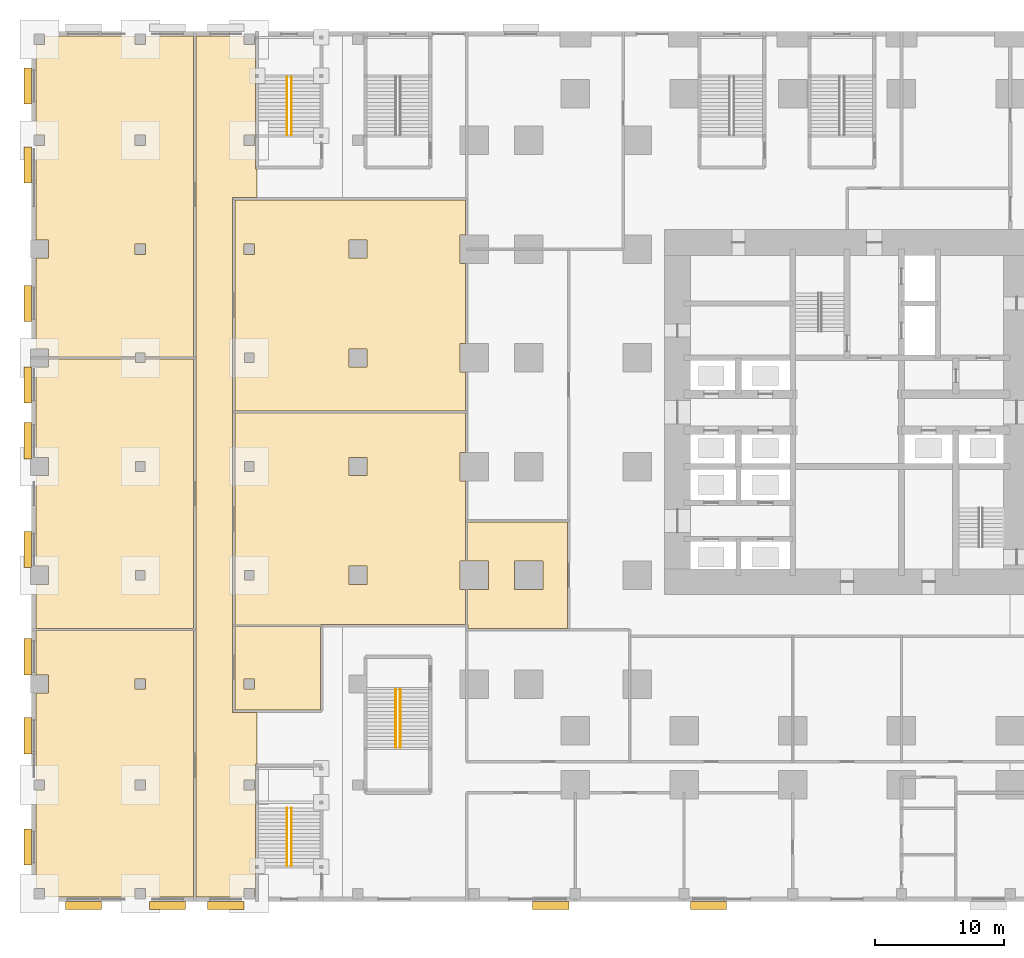
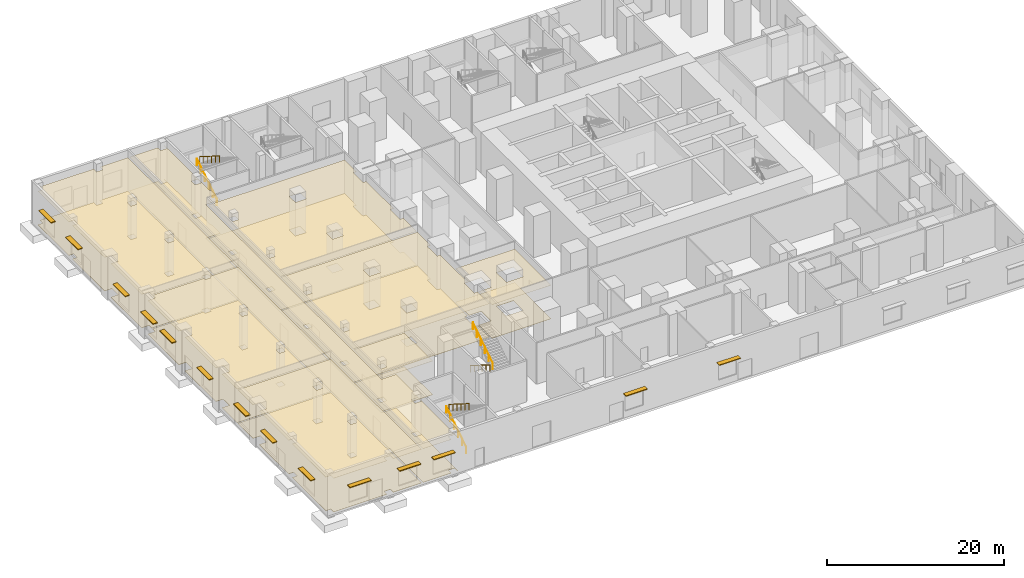
# One storey, part 24 of 26: 16 coverings, 14 shading devices, 6 railings.
"""IFC4 building model written with IfcOpenShell, lengths in metres."""

from ifc_helpers import new_model, si_unit, direction, frame, origin, origin_2d, place, context, subcontext, project, spatial, polyline, rectangle, circle, outline, extrude, material, layer, layer_set, type_object, element, save


model = new_model("IFC4")

# Units and contexts
model_context = context("Model", 3, precision=1e-05, world=origin(), true_north=direction((0.0, 1.0)))
body_context = subcontext(model_context, "Body", "Model", "MODEL_VIEW")
ifc_project = project(units=[si_unit("LENGTHUNIT", "METRE"), si_unit("AREAUNIT", "SQUARE_METRE"), si_unit("VOLUMEUNIT", "CUBIC_METRE"), si_unit("PLANEANGLEUNIT", "RADIAN"), si_unit("MASSUNIT", "GRAM", prefix="KILO")], contexts=[model_context])

# Site, building, storey
site_placement = place(None, origin())
site = spatial("IfcSite", under=ifc_project, at=site_placement, CompositionType="ELEMENT")
building_placement = place(site_placement, origin())
building = spatial("IfcBuilding", under=site, at=building_placement, Name="Dunama Terrace Hotel", CompositionType="ELEMENT")
storey_placement = place(building_placement, origin())
storey = spatial("IfcBuildingStorey", under=building, at=storey_placement, Name="L00", CompositionType="ELEMENT", Elevation=0.0)

# Railings
ifc_material_1 = material(Name="Stainless steel handrail", Category="steel")
railing_type = type_object("IfcRailingType", Name="Stair handrail 900", PredefinedType="HANDRAIL", material=ifc_material_1)
railing_1_placement = place(storey_placement, frame((-13.875, 50.824951171875, 0.176513671875)))
element("IfcRailing", 1, at=railing_1_placement, inside=storey, type_object=railing_type, Name="Handrail P1 L00", PredefinedType="HANDRAIL", context=body_context, shape_type="SweptSolid", body=[
    extrude(circle(Radius=0.02392578125, at=origin_2d()), frame((0.0, 0.0, 0.8759765625), z_axis=(0.0, 0.845997938375, 0.533186166611), x_axis=(-1.0, 0.0, 0.0)), (0.0, 0.0, 1.0), 5.29541015625),
    extrude(circle(Radius=0.02099609375, at=origin_2d()), origin(), (0.0, 0.0, 1.0), 0.851806640625),
    extrude(circle(Radius=0.02099609375, at=origin_2d()), frame((0.0, 0.89599609375, 0.564697265625)), (0.0, 0.0, 1.0), 0.851806640625),
    extrude(circle(Radius=0.02099609375, at=origin_2d()), frame((0.0, 1.7919921875, 1.12939453125)), (0.0, 0.0, 1.0), 0.851806640625),
    extrude(circle(Radius=0.02099609375, at=origin_2d()), frame((0.0, 2.68798828125, 1.694091796875)), (0.0, 0.0, 1.0), 0.851806640625),
    extrude(circle(Radius=0.02099609375, at=origin_2d()), frame((0.0, 3.583984375, 2.2587890625)), (0.0, 0.0, 1.0), 0.851806640625),
    extrude(circle(Radius=0.02099609375, at=origin_2d()), frame((0.0, 4.47998046875, 2.823486328125)), (0.0, 0.0, 1.0), 0.851806640625),
])
railing_2_placement = place(storey_placement, frame((-13.52490234375, 55.304931640625, 3.176513671875)))
element("IfcRailing", 2, at=railing_2_placement, inside=storey, type_object=railing_type, Name="Handrail P1 L00", PredefinedType="HANDRAIL", context=body_context, shape_type="SweptSolid", body=[
    extrude(circle(Radius=0.02392578125, at=origin_2d()), frame((0.0, 0.0, 0.8759765625), z_axis=(0.0, -0.845997938375, 0.533186166611), x_axis=(1.0, 0.0, 0.0)), (0.0, 0.0, 1.0), 5.29541015625),
    extrude(circle(Radius=0.02099609375, at=origin_2d()), origin(), (0.0, 0.0, 1.0), 0.851806640625),
    extrude(circle(Radius=0.02099609375, at=origin_2d()), frame((0.0, -0.89599609375, 0.564697265625)), (0.0, 0.0, 1.0), 0.851806640625),
    extrude(circle(Radius=0.02099609375, at=origin_2d()), frame((0.0, -1.7919921875, 1.12939453125)), (0.0, 0.0, 1.0), 0.851806640625),
    extrude(circle(Radius=0.02099609375, at=origin_2d()), frame((0.0, -2.68798828125, 1.694091796875)), (0.0, 0.0, 1.0), 0.851806640625),
    extrude(circle(Radius=0.02099609375, at=origin_2d()), frame((0.0, -3.583984375, 2.2587890625)), (0.0, 0.0, 1.0), 0.851806640625),
    extrude(circle(Radius=0.02099609375, at=origin_2d()), frame((0.0, -4.47998046875, 2.823486328125)), (0.0, 0.0, 1.0), 0.851806640625),
])
railing_3_placement = place(storey_placement, frame((-13.875, -5.64990234375, 0.176513671875)))
element("IfcRailing", 3, at=railing_3_placement, inside=storey, type_object=railing_type, Name="Handrail P2 L00", PredefinedType="HANDRAIL", context=body_context, shape_type="SweptSolid", body=[
    extrude(circle(Radius=0.02392578125, at=origin_2d()), frame((0.0, 0.0, 0.8759765625), z_axis=(0.0, 0.845997938375, 0.533186166611), x_axis=(-1.0, 0.0, 0.0)), (0.0, 0.0, 1.0), 5.29541015625),
    extrude(circle(Radius=0.02099609375, at=origin_2d()), origin(), (0.0, 0.0, 1.0), 0.851806640625),
    extrude(circle(Radius=0.02099609375, at=origin_2d()), frame((0.0, 0.89599609375, 0.564697265625)), (0.0, 0.0, 1.0), 0.851806640625),
    extrude(circle(Radius=0.02099609375, at=origin_2d()), frame((0.0, 1.7919921875, 1.12939453125)), (0.0, 0.0, 1.0), 0.851806640625),
    extrude(circle(Radius=0.02099609375, at=origin_2d()), frame((0.0, 2.68798828125, 1.694091796875)), (0.0, 0.0, 1.0), 0.851806640625),
    extrude(circle(Radius=0.02099609375, at=origin_2d()), frame((0.0, 3.583984375, 2.2587890625)), (0.0, 0.0, 1.0), 0.851806640625),
    extrude(circle(Radius=0.02099609375, at=origin_2d()), frame((0.0, 4.47998046875, 2.823486328125)), (0.0, 0.0, 1.0), 0.851806640625),
])
for number, where, name in (
    (4, (-13.52490234375, -1.169921875, 3.176513671875), "Handrail P2 L00"),
    (5, (-5.47509765625, 7.97509765625, 0.176513671875), "Handrail P4 L00"),
):
    element("IfcRailing", number, at=place(storey_placement, frame(where)), inside=storey, type_object=railing_type, Name=name, PredefinedType="HANDRAIL", context=body_context, shape_type="SweptSolid", body=[
        extrude(circle(Radius=0.02392578125, at=origin_2d()), frame((0.0, 0.0, 0.8759765625), z_axis=(0.0, -0.845997938375, 0.533186166611), x_axis=(1.0, 0.0, 0.0)), (0.0, 0.0, 1.0), 5.29541015625),
        extrude(circle(Radius=0.02099609375, at=origin_2d()), origin(), (0.0, 0.0, 1.0), 0.851806640625),
        extrude(circle(Radius=0.02099609375, at=origin_2d()), frame((0.0, -0.89599609375, 0.564697265625)), (0.0, 0.0, 1.0), 0.851806640625),
        extrude(circle(Radius=0.02099609375, at=origin_2d()), frame((0.0, -1.7919921875, 1.12939453125)), (0.0, 0.0, 1.0), 0.851806640625),
        extrude(circle(Radius=0.02099609375, at=origin_2d()), frame((0.0, -2.68798828125, 1.694091796875)), (0.0, 0.0, 1.0), 0.851806640625),
        extrude(circle(Radius=0.02099609375, at=origin_2d()), frame((0.0, -3.583984375, 2.2587890625)), (0.0, 0.0, 1.0), 0.851806640625),
        extrude(circle(Radius=0.02099609375, at=origin_2d()), frame((0.0, -4.47998046875, 2.823486328125)), (0.0, 0.0, 1.0), 0.851806640625),
    ])
railing_4_placement = place(storey_placement, frame((-5.125, 3.4951171875, 3.176513671875)))
element("IfcRailing", 6, at=railing_4_placement, inside=storey, type_object=railing_type, Name="Handrail P4 L00", PredefinedType="HANDRAIL", context=body_context, shape_type="SweptSolid", body=[
    extrude(circle(Radius=0.02392578125, at=origin_2d()), frame((0.0, 0.0, 0.8759765625), z_axis=(0.0, 0.845997938375, 0.533186166611), x_axis=(-1.0, 0.0, 0.0)), (0.0, 0.0, 1.0), 5.29541015625),
    extrude(circle(Radius=0.02099609375, at=origin_2d()), origin(), (0.0, 0.0, 1.0), 0.851806640625),
    extrude(circle(Radius=0.02099609375, at=origin_2d()), frame((0.0, 0.89599609375, 0.564697265625)), (0.0, 0.0, 1.0), 0.851806640625),
    extrude(circle(Radius=0.02099609375, at=origin_2d()), frame((0.0, 1.7919921875, 1.12939453125)), (0.0, 0.0, 1.0), 0.851806640625),
    extrude(circle(Radius=0.02099609375, at=origin_2d()), frame((0.0, 2.68798828125, 1.694091796875)), (0.0, 0.0, 1.0), 0.851806640625),
    extrude(circle(Radius=0.02099609375, at=origin_2d()), frame((0.0, 3.583984375, 2.2587890625)), (0.0, 0.0, 1.0), 0.851806640625),
    extrude(circle(Radius=0.02099609375, at=origin_2d()), frame((0.0, 4.47998046875, 2.823486328125)), (0.0, 0.0, 1.0), 0.851806640625),
])

# Coverings
ifc_material_2 = material(Name="Natural stone floor tiles", Category="masonry")
ifc_layer_1 = layer(ifc_material_2, 0.030029296875)
ifc_layer_set_1 = layer_set([ifc_layer_1], Name="Stone floor finish 30")
covering_type_1 = type_object("IfcCoveringType", Name="Stone floor finish 30", PredefinedType="FLOORING", material=ifc_layer_set_1)
covering_1_placement = place(storey_placement, origin())
element("IfcCovering", 7, at=covering_1_placement, inside=storey, type_object=covering_type_1, Name="Floor finish L00-21", PredefinedType="FLOORING", context=body_context, shape_type="SweptSolid", body=[
    extrude(outline(polyline([(-21.10009765625, 12.52490234375), (-33.25, 12.52490234375), (-33.25, 9.10009765625), (-32.300048828125, 9.10009765625), (-32.300048828125, 7.699951171875), (-33.25, 7.699951171875), (-33.25, 1.0), (-32.60009765625, 1.0), (-32.60009765625, 0.199951171875), (-33.25, 0.199951171875), (-33.25, -7.39990234375), (-32.60009765625, -7.39990234375), (-32.60009765625, -8.050048828125), (-25.60009765625, -8.050048828125), (-25.60009765625, -7.39990234375), (-24.800048828125, -7.39990234375), (-24.800048828125, -8.050048828125), (-21.10009765625, -8.050048828125), (-21.10009765625, 12.52490234375)]), holes=[polyline([(-24.800048828125, 1.0), (-24.800048828125, 0.199951171875), (-25.60009765625, 0.199951171875), (-25.60009765625, 1.0), (-24.800048828125, 1.0)]), polyline([(-24.800048828125, 8.800048828125), (-24.800048828125, 8.0), (-25.60009765625, 8.0), (-25.60009765625, 8.800048828125), (-24.800048828125, 8.800048828125)])]), origin(), (0.0, 0.0, 1.0), 0.030029296875),
])
covering_2_placement = place(storey_placement, origin())
element("IfcCovering", 8, at=covering_2_placement, inside=storey, type_object=covering_type_1, Name="Floor finish L00-22", PredefinedType="FLOORING", context=body_context, shape_type="SweptSolid", body=[
    extrude(outline(polyline([(-32.300048828125, 25.89990234375), (-32.300048828125, 24.5), (-33.25, 24.5), (-33.25, 17.5), (-32.300048828125, 17.5), (-32.300048828125, 16.10009765625), (-33.25, 16.10009765625), (-33.25, 12.675048828125), (-21.10009765625, 12.675048828125), (-21.10009765625, 33.52490234375), (-24.824951171875, 33.52490234375), (-24.824951171875, 33.22509765625), (-25.574951171875, 33.22509765625), (-25.574951171875, 33.52490234375), (-32.300048828125, 33.52490234375), (-32.300048828125, 32.89990234375), (-33.25, 32.89990234375), (-33.25, 25.89990234375), (-32.300048828125, 25.89990234375)]), holes=[polyline([(-24.824951171875, 17.175048828125), (-24.824951171875, 16.425048828125), (-25.574951171875, 16.425048828125), (-25.574951171875, 17.175048828125), (-24.824951171875, 17.175048828125)]), polyline([(-24.824951171875, 25.574951171875), (-24.824951171875, 24.824951171875), (-25.574951171875, 24.824951171875), (-25.574951171875, 25.574951171875), (-24.824951171875, 25.574951171875)])]), origin(), (0.0, 0.0, 1.0), 0.030029296875),
])
covering_3_placement = place(storey_placement, origin())
element("IfcCovering", 9, at=covering_3_placement, inside=storey, type_object=covering_type_1, Name="Floor finish L00-23", PredefinedType="FLOORING", context=body_context, shape_type="SweptSolid", body=[
    extrude(outline(polyline([(-32.60009765625, 58.449951171875), (-32.60009765625, 57.800048828125), (-33.25, 57.800048828125), (-33.25, 50.800048828125), (-32.60009765625, 50.800048828125), (-32.60009765625, 50.0), (-33.25, 50.0), (-33.25, 42.699951171875), (-32.300048828125, 42.699951171875), (-32.300048828125, 41.300048828125), (-33.25, 41.300048828125), (-33.25, 34.300048828125), (-32.300048828125, 34.300048828125), (-32.300048828125, 33.675048828125), (-25.574951171875, 33.675048828125), (-25.574951171875, 33.97509765625), (-24.824951171875, 33.97509765625), (-24.824951171875, 33.675048828125), (-21.10009765625, 33.675048828125), (-21.10009765625, 58.449951171875), (-24.800048828125, 58.449951171875), (-24.800048828125, 57.800048828125), (-25.60009765625, 57.800048828125), (-25.60009765625, 58.449951171875), (-32.60009765625, 58.449951171875)]), holes=[polyline([(-24.800048828125, 42.39990234375), (-24.800048828125, 41.60009765625), (-25.60009765625, 41.60009765625), (-25.60009765625, 42.39990234375), (-24.800048828125, 42.39990234375)]), polyline([(-24.800048828125, 50.800048828125), (-24.800048828125, 50.0), (-25.60009765625, 50.0), (-25.60009765625, 50.800048828125), (-24.800048828125, 50.800048828125)])]), origin(), (0.0, 0.0, 1.0), 0.030029296875),
])
covering_4_placement = place(storey_placement, origin())
element("IfcCovering", 10, at=covering_4_placement, inside=storey, type_object=covering_type_1, Name="Floor finish L00-24", PredefinedType="FLOORING", context=body_context, shape_type="SweptSolid", body=[
    extrude(outline(polyline([(-16.199951171875, 46.0), (-16.199951171875, 48.175048828125), (-16.324951171875, 48.175048828125), (-16.324951171875, 48.425048828125), (-16.324951171875, 58.449951171875), (-16.39990234375, 58.449951171875), (-16.39990234375, 57.800048828125), (-17.199951171875, 57.800048828125), (-17.199951171875, 58.449951171875), (-20.89990234375, 58.449951171875), (-20.89990234375, -8.050048828125), (-17.199951171875, -8.050048828125), (-17.199951171875, -7.39990234375), (-16.39990234375, -7.39990234375), (-16.39990234375, -8.050048828125), (-16.324951171875, -8.050048828125), (-16.324951171875, 1.97509765625), (-16.324951171875, 2.10009765625), (-16.324951171875, 2.22509765625), (-16.199951171875, 2.22509765625), (-16.199951171875, 6.199951171875), (-17.89990234375, 6.199951171875), (-18.0, 6.199951171875), (-18.10009765625, 6.199951171875), (-18.10009765625, 6.39990234375), (-18.10009765625, 45.800048828125), (-18.10009765625, 45.89990234375), (-18.10009765625, 46.0), (-17.89990234375, 46.0), (-16.199951171875, 46.0)]), holes=[polyline([(-16.39990234375, 1.0), (-16.39990234375, 0.199951171875), (-17.199951171875, 0.199951171875), (-17.199951171875, 1.0), (-16.39990234375, 1.0)]), polyline([(-16.39990234375, 50.800048828125), (-16.39990234375, 50.0), (-17.199951171875, 50.0), (-17.199951171875, 50.800048828125), (-16.39990234375, 50.800048828125)])]), origin(), (0.0, 0.0, 1.0), 0.030029296875),
])
covering_5_placement = place(storey_placement, origin())
element("IfcCovering", 11, at=covering_5_placement, inside=storey, type_object=covering_type_1, Name="Floor finish L00-40", PredefinedType="FLOORING", context=body_context, shape_type="SweptSolid", body=[
    extrude(outline(polyline([(-17.89990234375, 12.97509765625), (-11.300048828125, 12.97509765625), (-11.300048828125, 13.0), (-11.10009765625, 13.0), (-0.10009765625, 13.0), (-0.074951171875, 13.0), (-0.074951171875, 15.699951171875), (-0.5, 15.699951171875), (-0.5, 17.89990234375), (-0.074951171875, 17.89990234375), (-0.074951171875, 20.925048828125), (-0.074951171875, 21.074951171875), (-0.074951171875, 24.10009765625), (-0.5, 24.10009765625), (-0.5, 26.300048828125), (-0.074951171875, 26.300048828125), (-0.074951171875, 29.324951171875), (-17.89990234375, 29.324951171875), (-17.89990234375, 12.97509765625)]), holes=[polyline([(-16.425048828125, 17.175048828125), (-16.425048828125, 16.425048828125), (-17.175048828125, 16.425048828125), (-17.175048828125, 17.175048828125), (-16.425048828125, 17.175048828125)]), polyline([(-16.425048828125, 25.574951171875), (-16.425048828125, 24.824951171875), (-17.175048828125, 24.824951171875), (-17.175048828125, 25.574951171875), (-16.425048828125, 25.574951171875)]), polyline([(-7.699951171875, 17.5), (-7.699951171875, 16.10009765625), (-9.10009765625, 16.10009765625), (-9.10009765625, 17.5), (-7.699951171875, 17.5)]), polyline([(-7.699951171875, 25.89990234375), (-7.699951171875, 24.5), (-9.10009765625, 24.5), (-9.10009765625, 25.89990234375), (-7.699951171875, 25.89990234375)])]), origin(), (0.0, 0.0, 1.0), 0.030029296875),
])
covering_6_placement = place(storey_placement, origin())
element("IfcCovering", 12, at=covering_6_placement, inside=storey, type_object=covering_type_1, Name="Floor finish L00-41", PredefinedType="FLOORING", context=body_context, shape_type="SweptSolid", body=[
    extrude(outline(polyline([(-17.89990234375, 29.47509765625), (-0.074951171875, 29.47509765625), (-0.074951171875, 32.5), (-0.5, 32.5), (-0.5, 34.699951171875), (-0.074951171875, 34.699951171875), (-0.074951171875, 40.89990234375), (-0.5, 40.89990234375), (-0.5, 43.10009765625), (-0.074951171875, 43.10009765625), (-0.074951171875, 45.800048828125), (-0.10009765625, 45.800048828125), (-17.89990234375, 45.800048828125), (-17.89990234375, 29.47509765625)]), holes=[polyline([(-17.175048828125, 33.97509765625), (-16.425048828125, 33.97509765625), (-16.425048828125, 33.22509765625), (-17.175048828125, 33.22509765625), (-17.175048828125, 33.97509765625)]), polyline([(-16.39990234375, 42.39990234375), (-16.39990234375, 41.60009765625), (-17.199951171875, 41.60009765625), (-17.199951171875, 42.39990234375), (-16.39990234375, 42.39990234375)]), polyline([(-9.10009765625, 34.300048828125), (-7.699951171875, 34.300048828125), (-7.699951171875, 32.89990234375), (-9.10009765625, 32.89990234375), (-9.10009765625, 34.300048828125)]), polyline([(-7.699951171875, 42.699951171875), (-7.699951171875, 41.300048828125), (-9.10009765625, 41.300048828125), (-9.10009765625, 42.699951171875), (-7.699951171875, 42.699951171875)])]), origin(), (0.0, 0.0, 1.0), 0.030029296875),
])
covering_7_placement = place(storey_placement, origin())
element("IfcCovering", 13, at=covering_7_placement, inside=storey, type_object=covering_type_1, Name="Floor finish L00-43", PredefinedType="FLOORING", context=body_context, shape_type="SweptSolid", body=[
    extrude(outline(polyline([(1.699951171875, 17.89990234375), (1.699951171875, 15.699951171875), (0.074951171875, 15.699951171875), (0.074951171875, 13.0), (0.10009765625, 13.0), (0.10009765625, 12.800048828125), (0.10009765625, 12.675048828125), (7.800048828125, 12.675048828125), (7.800048828125, 12.699951171875), (7.800048828125, 20.89990234375), (7.800048828125, 20.925048828125), (0.074951171875, 20.925048828125), (0.074951171875, 17.89990234375), (1.699951171875, 17.89990234375)]), holes=[polyline([(5.89990234375, 17.89990234375), (5.89990234375, 15.699951171875), (3.699951171875, 15.699951171875), (3.699951171875, 17.89990234375), (5.89990234375, 17.89990234375)])]), origin(), (0.0, 0.0, 1.0), 0.030029296875),
])
covering_8_placement = place(storey_placement, origin())
element("IfcCovering", 14, at=covering_8_placement, inside=storey, type_object=covering_type_1, Name="Floor finish L00-49", PredefinedType="FLOORING", context=body_context, shape_type="SweptSolid", body=[
    extrude(outline(polyline([(-17.89990234375, 12.824951171875), (-17.89990234375, 6.39990234375), (-11.300048828125, 6.39990234375), (-11.300048828125, 12.800048828125), (-11.300048828125, 12.824951171875), (-17.89990234375, 12.824951171875)]), holes=[polyline([(-16.39990234375, 8.800048828125), (-16.39990234375, 8.0), (-17.199951171875, 8.0), (-17.199951171875, 8.800048828125), (-16.39990234375, 8.800048828125)])]), origin(), (0.0, 0.0, 1.0), 0.030029296875),
])

# Shading devices
ifc_material_3 = material(Name="Precast stone sunshade", Category="masonry")
ifc_layer_2 = layer(ifc_material_3, 0.10009765625)
ifc_layer_set_2 = layer_set([ifc_layer_2], Name="Stone sunshade 600")
shading_device_type = type_object("IfcShadingDeviceType", Name="Stone sunshade 600", PredefinedType="USERDEFINED", material=ifc_layer_set_2)
for number, where, z_axis, x_axis, name in (
    (15, (-29.60009765625, -8.699951171875, 3.349853515625), (0.0, 0.0, 1.0), (1.0, 0.0, 0.0), "Sunshade L00"),
    (16, (-23.10009765625, -8.699951171875, 3.349853515625), (0.0, 0.0, 1.0), (1.0, 0.0, 0.0), "Sunshade L00"),
    (17, (-18.60009765625, -8.699951171875, 3.349853515625), (0.0, 0.0, 1.0), (1.0, 0.0, 0.0), "Sunshade L00"),
    (18, (6.5, -8.699951171875, 3.349853515625), (0.0, 0.0, 1.0), (1.0, 0.0, 0.0), "Sunshade L00"),
    (19, (18.699951171875, -8.699951171875, 3.349853515625), (0.0, 0.0, 1.0), (1.0, 0.0, 0.0), "Sunshade L00"),
    (20, (-33.89990234375, -4.199951171875, 3.349853515625), (0.0, 0.0, 1.0), (0.0, -1.0, 0.0), "Sunshade L00"),
    (21, (-33.89990234375, 4.39990234375, 3.349853515625), (0.0, 0.0, 1.0), (0.0, -1.0, 0.0), "Sunshade L00"),
    (22, (-33.89990234375, 10.5, 3.349853515625), (0.0, 0.0, 1.0), (0.0, -1.0, 0.0), "Sunshade L00"),
    (23, (-33.89990234375, 18.800048828125, 3.349853515625), (0.0, 0.0, 1.0), (0.0, -1.0, 0.0), "Sunshade L00"),
    (24, (-33.89990234375, 27.199951171875, 3.349853515625), (0.0, 0.0, 1.0), (0.0, -1.0, 0.0), "Sunshade L00"),
    (25, (-33.89990234375, 31.5, 3.349853515625), (0.0, 0.0, 1.0), (0.0, -1.0, 0.0), "Sunshade L00"),
    (26, (-33.89990234375, 37.800048828125, 3.349853515625), (0.0, 0.0, 1.0), (0.0, -1.0, 0.0), "Sunshade L00"),
    (27, (-33.89990234375, 48.5, 3.349853515625), (0.0, 0.0, 1.0), (0.0, -1.0, 0.0), "Sunshade L00"),
    (28, (-33.89990234375, 54.60009765625, 3.349853515625), (0.0, 0.0, 1.0), (0.0, -1.0, 0.0), "Sunshade L00"),
):
    element("IfcShadingDevice", number, at=place(storey_placement, frame(where, z_axis=z_axis, x_axis=x_axis)), inside=storey, type_object=shading_device_type, Name=name, ObjectType="SUNSHADE", PredefinedType="USERDEFINED", context=body_context, shape_type="SweptSolid", body=[
        extrude(rectangle(XDim=2.800048828125, YDim=0.60009765625, at=origin_2d()), origin(), (0.0, 0.0, 1.0), 0.10009765625),
    ])

# Coverings
ifc_material_4 = material(Name="Gypsum plasterboard ceiling")
ifc_layer_3 = layer(ifc_material_4, 0.02001953125)
ifc_layer_set_3 = layer_set([ifc_layer_3], Name="Suspended ceiling 20")
covering_type_2 = type_object("IfcCoveringType", Name="Suspended ceiling 20", PredefinedType="CEILING", material=ifc_layer_set_3)
covering_9_placement = place(storey_placement, frame((0.0, 0.0, 4.64990234375)))
element("IfcCovering", 29, at=covering_9_placement, inside=storey, type_object=covering_type_2, Name="Ceiling L00-21", PredefinedType="CEILING", context=body_context, shape_type="SweptSolid", body=[
    extrude(outline(polyline([(-21.10009765625, -8.050048828125), (-21.10009765625, 12.52490234375), (-33.25, 12.52490234375), (-33.25, 9.10009765625), (-32.300048828125, 9.10009765625), (-32.300048828125, 7.699951171875), (-33.25, 7.699951171875), (-33.25, 1.0), (-32.60009765625, 1.0), (-32.60009765625, 0.199951171875), (-33.25, 0.199951171875), (-33.25, -7.39990234375), (-32.60009765625, -7.39990234375), (-32.60009765625, -8.050048828125), (-25.60009765625, -8.050048828125), (-25.60009765625, -7.39990234375), (-24.800048828125, -7.39990234375), (-24.800048828125, -8.050048828125), (-21.10009765625, -8.050048828125)]), holes=[polyline([(-25.60009765625, 1.0), (-24.800048828125, 1.0), (-24.800048828125, 0.199951171875), (-25.60009765625, 0.199951171875), (-25.60009765625, 1.0)]), polyline([(-25.60009765625, 8.800048828125), (-24.800048828125, 8.800048828125), (-24.800048828125, 8.0), (-25.60009765625, 8.0), (-25.60009765625, 8.800048828125)])]), origin(), (0.0, 0.0, 1.0), 0.02001953125),
])
covering_10_placement = place(storey_placement, frame((0.0, 0.0, 4.64990234375)))
element("IfcCovering", 30, at=covering_10_placement, inside=storey, type_object=covering_type_2, Name="Ceiling L00-22", PredefinedType="CEILING", context=body_context, shape_type="SweptSolid", body=[
    extrude(outline(polyline([(-33.25, 25.89990234375), (-32.300048828125, 25.89990234375), (-32.300048828125, 24.5), (-33.25, 24.5), (-33.25, 17.5), (-32.300048828125, 17.5), (-32.300048828125, 16.10009765625), (-33.25, 16.10009765625), (-33.25, 12.675048828125), (-21.10009765625, 12.675048828125), (-21.10009765625, 33.52490234375), (-24.824951171875, 33.52490234375), (-24.824951171875, 33.22509765625), (-25.574951171875, 33.22509765625), (-25.574951171875, 33.52490234375), (-32.300048828125, 33.52490234375), (-32.300048828125, 32.89990234375), (-33.25, 32.89990234375), (-33.25, 25.89990234375)]), holes=[polyline([(-25.574951171875, 17.175048828125), (-24.824951171875, 17.175048828125), (-24.824951171875, 16.425048828125), (-25.574951171875, 16.425048828125), (-25.574951171875, 17.175048828125)]), polyline([(-25.574951171875, 25.574951171875), (-24.824951171875, 25.574951171875), (-24.824951171875, 24.824951171875), (-25.574951171875, 24.824951171875), (-25.574951171875, 25.574951171875)])]), origin(), (0.0, 0.0, 1.0), 0.02001953125),
])
covering_11_placement = place(storey_placement, frame((0.0, 0.0, 4.64990234375)))
element("IfcCovering", 31, at=covering_11_placement, inside=storey, type_object=covering_type_2, Name="Ceiling L00-23", PredefinedType="CEILING", context=body_context, shape_type="SweptSolid", body=[
    extrude(outline(polyline([(-25.60009765625, 58.449951171875), (-32.60009765625, 58.449951171875), (-32.60009765625, 57.800048828125), (-33.25, 57.800048828125), (-33.25, 50.800048828125), (-32.60009765625, 50.800048828125), (-32.60009765625, 50.0), (-33.25, 50.0), (-33.25, 42.699951171875), (-32.300048828125, 42.699951171875), (-32.300048828125, 41.300048828125), (-33.25, 41.300048828125), (-33.25, 34.300048828125), (-32.300048828125, 34.300048828125), (-32.300048828125, 33.675048828125), (-25.574951171875, 33.675048828125), (-25.574951171875, 33.97509765625), (-24.824951171875, 33.97509765625), (-24.824951171875, 33.675048828125), (-21.10009765625, 33.675048828125), (-21.10009765625, 58.449951171875), (-24.800048828125, 58.449951171875), (-24.800048828125, 57.800048828125), (-25.60009765625, 57.800048828125), (-25.60009765625, 58.449951171875)]), holes=[polyline([(-25.60009765625, 42.39990234375), (-24.800048828125, 42.39990234375), (-24.800048828125, 41.60009765625), (-25.60009765625, 41.60009765625), (-25.60009765625, 42.39990234375)]), polyline([(-25.60009765625, 50.800048828125), (-24.800048828125, 50.800048828125), (-24.800048828125, 50.0), (-25.60009765625, 50.0), (-25.60009765625, 50.800048828125)])]), origin(), (0.0, 0.0, 1.0), 0.02001953125),
])
covering_12_placement = place(storey_placement, frame((0.0, 0.0, 4.64990234375)))
element("IfcCovering", 32, at=covering_12_placement, inside=storey, type_object=covering_type_2, Name="Ceiling L00-24", PredefinedType="CEILING", context=body_context, shape_type="SweptSolid", body=[
    extrude(outline(polyline([(-17.89990234375, 46.0), (-16.199951171875, 46.0), (-16.199951171875, 48.175048828125), (-16.324951171875, 48.175048828125), (-16.324951171875, 48.425048828125), (-16.324951171875, 58.449951171875), (-16.39990234375, 58.449951171875), (-16.39990234375, 57.800048828125), (-17.199951171875, 57.800048828125), (-17.199951171875, 58.449951171875), (-20.89990234375, 58.449951171875), (-20.89990234375, -8.050048828125), (-17.199951171875, -8.050048828125), (-17.199951171875, -7.39990234375), (-16.39990234375, -7.39990234375), (-16.39990234375, -8.050048828125), (-16.324951171875, -8.050048828125), (-16.324951171875, 1.97509765625), (-16.324951171875, 2.10009765625), (-16.324951171875, 2.22509765625), (-16.199951171875, 2.22509765625), (-16.199951171875, 6.199951171875), (-17.89990234375, 6.199951171875), (-18.0, 6.199951171875), (-18.10009765625, 6.199951171875), (-18.10009765625, 6.39990234375), (-18.10009765625, 45.800048828125), (-18.10009765625, 45.89990234375), (-18.10009765625, 46.0), (-17.89990234375, 46.0)]), holes=[polyline([(-17.199951171875, 1.0), (-16.39990234375, 1.0), (-16.39990234375, 0.199951171875), (-17.199951171875, 0.199951171875), (-17.199951171875, 1.0)]), polyline([(-17.199951171875, 50.800048828125), (-16.39990234375, 50.800048828125), (-16.39990234375, 50.0), (-17.199951171875, 50.0), (-17.199951171875, 50.800048828125)])]), origin(), (0.0, 0.0, 1.0), 0.02001953125),
])
covering_13_placement = place(storey_placement, frame((0.0, 0.0, 4.64990234375)))
element("IfcCovering", 33, at=covering_13_placement, inside=storey, type_object=covering_type_2, Name="Ceiling L00-40", PredefinedType="CEILING", context=body_context, shape_type="SweptSolid", body=[
    extrude(outline(polyline([(-17.89990234375, 29.324951171875), (-17.89990234375, 12.97509765625), (-11.300048828125, 12.97509765625), (-11.300048828125, 13.0), (-11.10009765625, 13.0), (-0.10009765625, 13.0), (-0.074951171875, 13.0), (-0.074951171875, 15.699951171875), (-0.5, 15.699951171875), (-0.5, 17.89990234375), (-0.074951171875, 17.89990234375), (-0.074951171875, 20.925048828125), (-0.074951171875, 21.074951171875), (-0.074951171875, 24.10009765625), (-0.5, 24.10009765625), (-0.5, 26.300048828125), (-0.074951171875, 26.300048828125), (-0.074951171875, 29.324951171875), (-17.89990234375, 29.324951171875)]), holes=[polyline([(-17.175048828125, 17.175048828125), (-16.425048828125, 17.175048828125), (-16.425048828125, 16.425048828125), (-17.175048828125, 16.425048828125), (-17.175048828125, 17.175048828125)]), polyline([(-17.175048828125, 25.574951171875), (-16.425048828125, 25.574951171875), (-16.425048828125, 24.824951171875), (-17.175048828125, 24.824951171875), (-17.175048828125, 25.574951171875)]), polyline([(-9.10009765625, 17.5), (-7.699951171875, 17.5), (-7.699951171875, 16.10009765625), (-9.10009765625, 16.10009765625), (-9.10009765625, 17.5)]), polyline([(-9.10009765625, 25.89990234375), (-7.699951171875, 25.89990234375), (-7.699951171875, 24.5), (-9.10009765625, 24.5), (-9.10009765625, 25.89990234375)])]), origin(), (0.0, 0.0, 1.0), 0.02001953125),
])
covering_14_placement = place(storey_placement, frame((0.0, 0.0, 4.64990234375)))
element("IfcCovering", 34, at=covering_14_placement, inside=storey, type_object=covering_type_2, Name="Ceiling L00-41", PredefinedType="CEILING", context=body_context, shape_type="SweptSolid", body=[
    extrude(outline(polyline([(-17.89990234375, 45.800048828125), (-17.89990234375, 29.47509765625), (-0.074951171875, 29.47509765625), (-0.074951171875, 32.5), (-0.5, 32.5), (-0.5, 34.699951171875), (-0.074951171875, 34.699951171875), (-0.074951171875, 40.89990234375), (-0.5, 40.89990234375), (-0.5, 43.10009765625), (-0.074951171875, 43.10009765625), (-0.074951171875, 45.800048828125), (-0.10009765625, 45.800048828125), (-17.89990234375, 45.800048828125)]), holes=[polyline([(-17.175048828125, 33.22509765625), (-17.175048828125, 33.97509765625), (-16.425048828125, 33.97509765625), (-16.425048828125, 33.22509765625), (-17.175048828125, 33.22509765625)]), polyline([(-17.199951171875, 42.39990234375), (-16.39990234375, 42.39990234375), (-16.39990234375, 41.60009765625), (-17.199951171875, 41.60009765625), (-17.199951171875, 42.39990234375)]), polyline([(-9.10009765625, 32.89990234375), (-9.10009765625, 34.300048828125), (-7.699951171875, 34.300048828125), (-7.699951171875, 32.89990234375), (-9.10009765625, 32.89990234375)]), polyline([(-9.10009765625, 42.699951171875), (-7.699951171875, 42.699951171875), (-7.699951171875, 41.300048828125), (-9.10009765625, 41.300048828125), (-9.10009765625, 42.699951171875)])]), origin(), (0.0, 0.0, 1.0), 0.02001953125),
])
covering_15_placement = place(storey_placement, frame((0.0, 0.0, 4.64990234375)))
element("IfcCovering", 35, at=covering_15_placement, inside=storey, type_object=covering_type_2, Name="Ceiling L00-43", PredefinedType="CEILING", context=body_context, shape_type="SweptSolid", body=[
    extrude(outline(polyline([(0.074951171875, 17.89990234375), (1.699951171875, 17.89990234375), (1.699951171875, 15.699951171875), (0.074951171875, 15.699951171875), (0.074951171875, 13.0), (0.10009765625, 13.0), (0.10009765625, 12.800048828125), (0.10009765625, 12.675048828125), (7.800048828125, 12.675048828125), (7.800048828125, 12.699951171875), (7.800048828125, 20.89990234375), (7.800048828125, 20.925048828125), (0.074951171875, 20.925048828125), (0.074951171875, 17.89990234375)]), holes=[polyline([(3.699951171875, 17.89990234375), (5.89990234375, 17.89990234375), (5.89990234375, 15.699951171875), (3.699951171875, 15.699951171875), (3.699951171875, 17.89990234375)])]), origin(), (0.0, 0.0, 1.0), 0.02001953125),
])
covering_16_placement = place(storey_placement, frame((0.0, 0.0, 4.64990234375)))
element("IfcCovering", 36, at=covering_16_placement, inside=storey, type_object=covering_type_2, Name="Ceiling L00-49", PredefinedType="CEILING", context=body_context, shape_type="SweptSolid", body=[
    extrude(outline(polyline([(-11.300048828125, 12.824951171875), (-17.89990234375, 12.824951171875), (-17.89990234375, 6.39990234375), (-11.300048828125, 6.39990234375), (-11.300048828125, 12.800048828125), (-11.300048828125, 12.824951171875)]), holes=[polyline([(-17.199951171875, 8.800048828125), (-16.39990234375, 8.800048828125), (-16.39990234375, 8.0), (-17.199951171875, 8.0), (-17.199951171875, 8.800048828125)])]), origin(), (0.0, 0.0, 1.0), 0.02001953125),
])

save(model, "model.ifc")
